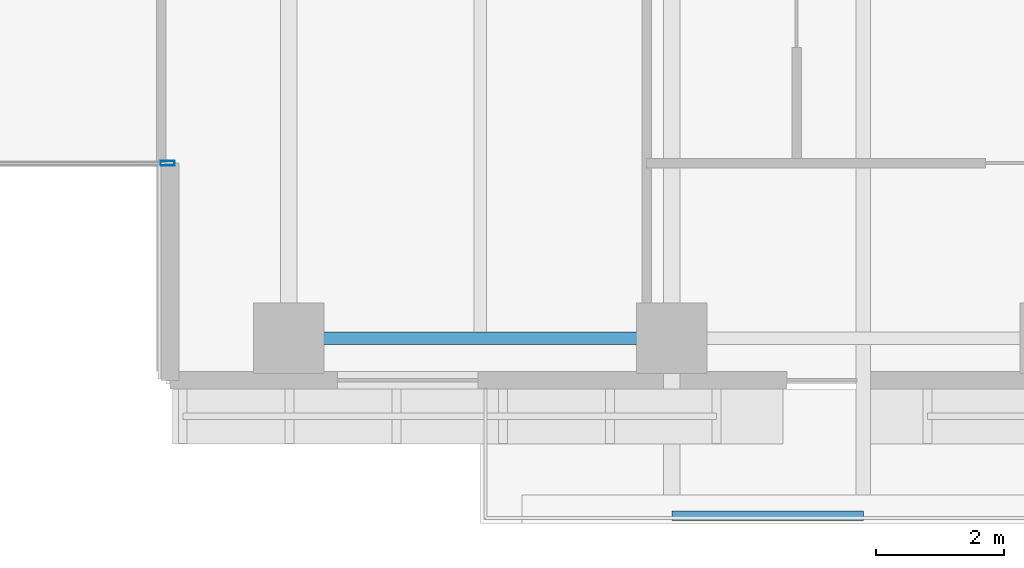
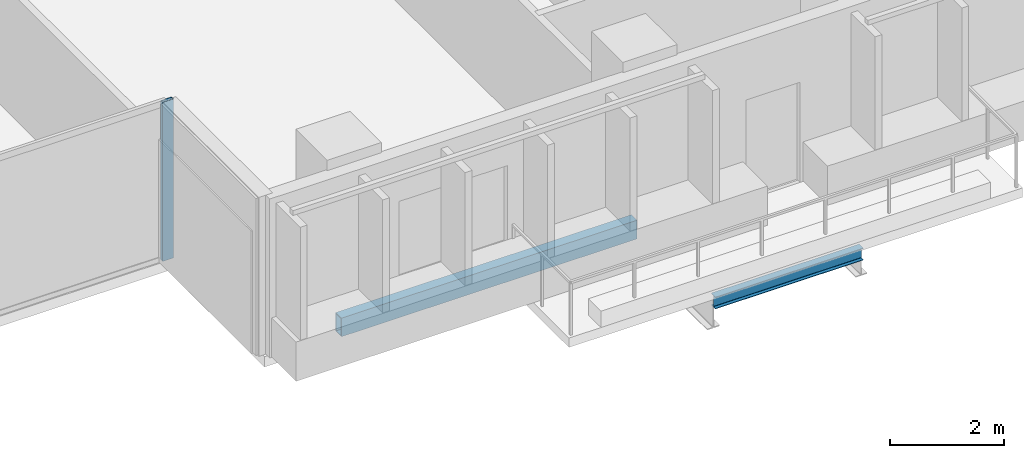
# One storey, part 4 of 26: 2 beams, 1 member, 1 element without a shape of its own.
"""IFC4 building model written with IfcOpenShell, lengths in metres."""

from ifc_helpers import new_model, si_unit, direction, frame, origin, origin_2d, place, context, subcontext, project, spatial, hollow_rectangle, i_section, extrude, material, layer, layer_set, material_profile, profile_set, type_object, element, aggregate, save


model = new_model("IFC4")

# Units and contexts
model_context = context("Model", 3, precision=1e-05, world=origin(), true_north=direction((0.0, 1.0)))
body_context = subcontext(model_context, "Body", "Model", "MODEL_VIEW")
ifc_project = project(units=[si_unit("LENGTHUNIT", "METRE"), si_unit("AREAUNIT", "SQUARE_METRE"), si_unit("VOLUMEUNIT", "CUBIC_METRE"), si_unit("PLANEANGLEUNIT", "RADIAN"), si_unit("MASSUNIT", "GRAM", prefix="KILO")], contexts=[model_context])

# Site, building, storey
site_placement = place(None, origin())
site = spatial("IfcSite", under=ifc_project, at=site_placement, CompositionType="ELEMENT")
building_placement = place(site_placement, origin())
building = spatial("IfcBuilding", under=site, at=building_placement, Name="Tanjung Sevakor Pilgrim Tower", CompositionType="ELEMENT")
storey_placement = place(building_placement, frame((0.0, 0.0, 66.0)))
storey = spatial("IfcBuildingStorey", under=building, at=storey_placement, Name="L18", CompositionType="ELEMENT", Elevation=66.0)

# Beams
ifc_material_1 = material(Name="Steel S355J2", Category="steel")
ifc_material_profile_1 = material_profile(ifc_material_1, i_section(OverallWidth=0.146484375, OverallDepth=0.256103515625, WebThickness=0.00634765625, FlangeThickness=0.010986328125, FilletRadius=0.007568359375, at=origin_2d()))
ifc_profile_set_1 = profile_set([ifc_material_profile_1], Name="Steel S355J2")
beam_type_1 = type_object("IfcBeamType", Name="BM-B-J6-UB_254x146x37", PredefinedType="JOIST", material=ifc_profile_set_1)
beam_1_placement = place(storey_placement, frame((60.0, 5.6201171875, -0.327880859375), z_axis=(1.0, 0.0, 0.0), x_axis=(0.0, 1.0, 0.0)))
element("IfcBeam", 1, at=beam_1_placement, inside=storey, type_object=beam_type_1, Name="L18 Balcony Rim Tie MAIN-S2", PredefinedType="JOIST", context=body_context, shape_type="SweptSolid", body=[
    extrude(i_section(OverallWidth=0.146484375, OverallDepth=0.256103515625, WebThickness=0.00634765625, FlangeThickness=0.010986328125, FilletRadius=0.007568359375, at=origin_2d()), origin(), (0.0, 0.0, 1.0), 3.0),
])
ifc_material_2 = material(Name="Steel S355J2", Category="steel")
ifc_material_profile_2 = material_profile(ifc_material_2, hollow_rectangle(XDim=0.199951171875, YDim=0.39990234375, WallThickness=0.01611328125, at=origin_2d()))
ifc_profile_set_2 = profile_set([ifc_material_profile_2], Name="Steel S355J2")
beam_type_2 = type_object("IfcBeamType", Name="BM-B-SP2-RHS_400x200x16", PredefinedType="SPANDREL", material=ifc_profile_set_2)
beam_2_placement = place(storey_placement, frame((54.0, 8.39990234375, -0.419921875), z_axis=(1.0, 0.0, 0.0), x_axis=(0.0, 1.0, 0.0)))
element("IfcBeam", 2, at=beam_2_placement, inside=storey, type_object=beam_type_2, Name="L18 Spandrel MAIN S-07", PredefinedType="SPANDREL", context=body_context, shape_type="SweptSolid", body=[
    extrude(hollow_rectangle(XDim=0.199951171875, YDim=0.39990234375, WallThickness=0.01611328125, at=origin_2d()), origin(), (0.0, 0.0, 1.0), 6.0),
])

# Curtain wall, member
ifc_material_3 = material(Name="Aluminium 6063-T6 and Low-E Glass", Category="aluminium")
ifc_layer = layer(ifc_material_3, 0.179931640625)
ifc_layer_set = layer_set([ifc_layer], Name="CW-SYS-CLEFT")
curtain_wall_type = type_object("IfcCurtainWallType", Name="CW-SYS-CLEFT", PredefinedType="NOTDEFINED", material=ifc_layer_set)
curtain_wall_placement = place(storey_placement, origin())
curtain_wall = element("IfcCurtainWall", 3, at=curtain_wall_placement, inside=storey, type_object=curtain_wall_type, Name="L18 Curtain Wall CW-CLF-L18-2", PredefinedType="NOTDEFINED")
ifc_material_4 = material(Name="Aluminium 6063-T6", Category="aluminium")
ifc_material_profile_3 = material_profile(ifc_material_4, hollow_rectangle(XDim=0.074951171875, YDim=0.219970703125, WallThickness=0.0048828125, at=origin_2d()))
ifc_profile_set_3 = profile_set([ifc_material_profile_3], Name="Aluminium 6063-T6")
member_type = type_object("IfcMemberType", Name="TYPE-CWM-2", PredefinedType="MULLION", material=ifc_profile_set_3)
member_placement = place(storey_placement, frame((52.1025390625, 11.139892578125, 0.0), z_axis=(0.0, 0.0, 1.0), x_axis=(0.0, 1.0, 0.0)))
member = element("IfcMember", 4, at=member_placement, type_object=member_type, Name="CW-CLF mullion 2", PredefinedType="MULLION", context=body_context, shape_type="SweptSolid", body=[
    extrude(hollow_rectangle(XDim=0.074951171875, YDim=0.219970703125, WallThickness=0.0048828125, at=origin_2d()), origin(), (0.0, 0.0, 1.0), 3.409912109375),
])
aggregate(curtain_wall, [member])

save(model, "model.ifc")
